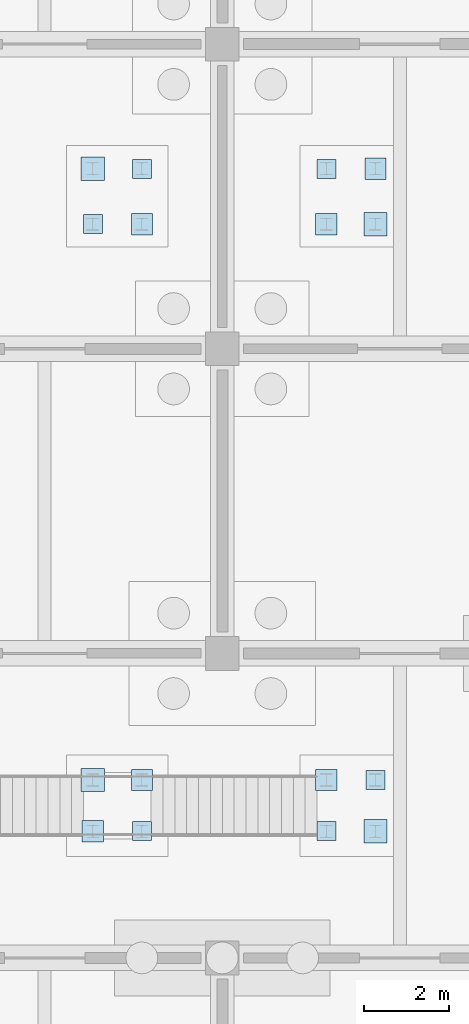
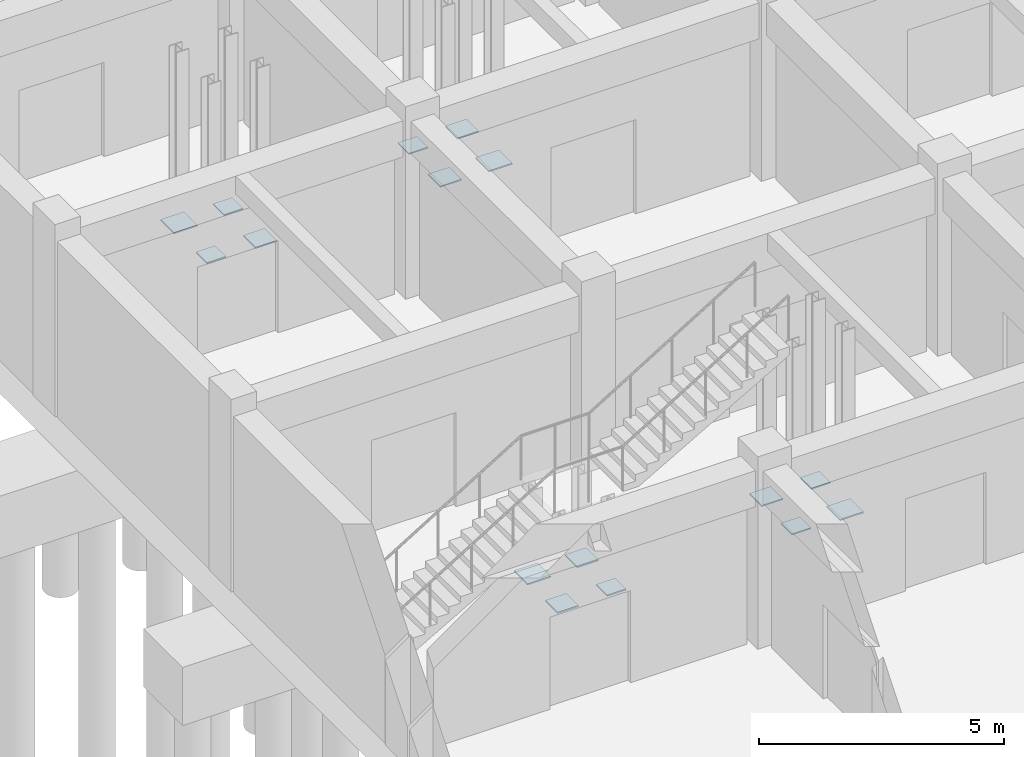
# One storey, part 22 of 38: 16 plates.
"""IFC4 building model written with IfcOpenShell, lengths in metres."""

from ifc_helpers import new_model, si_unit, derived_unit, direction, frame, origin, origin_2d, place, context, subcontext, project, spatial, rectangle, extrude, material, layer, layer_set, type_object, element, save


model = new_model("IFC4")

# Units and contexts
model_context = context("Model", 3, precision=1e-05, world=origin(), true_north=direction((0.0, 1.0)))
body_context = subcontext(model_context, "Body", "Model", "MODEL_VIEW")
ifc_project = project(units=[si_unit("LENGTHUNIT", "METRE"), si_unit("AREAUNIT", "SQUARE_METRE"), si_unit("VOLUMEUNIT", "CUBIC_METRE"), si_unit("PLANEANGLEUNIT", "RADIAN"), si_unit("MASSUNIT", "GRAM", prefix="KILO"), derived_unit("THERMALTRANSMITTANCEUNIT", [(si_unit("MASSUNIT", "GRAM", prefix="KILO"), 1), (si_unit("TIMEUNIT", "SECOND"), -3), (si_unit("THERMODYNAMICTEMPERATUREUNIT", "KELVIN"), -1)])], contexts=[model_context])

# Site, building, storey
site_placement = place(None, origin())
site = spatial("IfcSite", under=ifc_project, at=site_placement, CompositionType="ELEMENT")
building_placement = place(site_placement, origin())
building = spatial("IfcBuilding", under=site, at=building_placement, Name="Veldstrom Oceanarium and Marine Research Institute", CompositionType="ELEMENT")
storey_placement = place(building_placement, frame((0.0, 0.0, -9.60009765625)))
storey = spatial("IfcBuildingStorey", under=building, at=storey_placement, Name="B02", CompositionType="ELEMENT", Elevation=-9.60009765625)

# Plates
ifc_material_1 = material(Name="Steel S355JR", Category="steel")
ifc_layer_1 = layer(ifc_material_1, 0.034912109375)
ifc_layer_set_1 = layer_set([ifc_layer_1], Name="STR-PLT-BP2")
plate_type_1 = type_object("IfcPlateType", Name="STR-PLT-BP2", PredefinedType="SHEET", material=ifc_layer_set_1)
for number, where, z_axis, x_axis, name in (
    (1, (122.93994140625, 83.405029296875, 0.0), (0.0, 0.0, 1.0), (1.0, 0.0, 0.0), "Steel Column Base Plate BP02-033"),
    (2, (129.6201171875, 82.195068359375, 0.0), (0.0, 0.0, 1.0), (1.0, 0.0, 0.0), "Steel Column Base Plate BP02-036"),
    (3, (122.93994140625, 97.85498046875, 0.0), (0.0, 0.0, 1.0), (1.0, 0.0, 0.0), "Steel Column Base Plate BP02-075"),
    (4, (129.6201171875, 96.544921875, 0.0), (0.0, 0.0, 1.0), (1.0, 0.0, 0.0), "Steel Column Base Plate BP02-081"),
):
    element("IfcPlate", number, at=place(storey_placement, frame(where, z_axis=z_axis, x_axis=x_axis)), inside=storey, type_object=plate_type_1, Name=name, PredefinedType="SHEET", context=body_context, shape_type="SweptSolid", body=[
        extrude(rectangle(XDim=0.550048828125, YDim=0.550048828125, at=origin_2d()), origin(), (0.0, 0.0, 1.0), 0.034912109375),
    ])
ifc_material_2 = material(Name="Steel S355JR", Category="steel")
ifc_layer_2 = layer(ifc_material_2, 0.031982421875)
ifc_layer_set_2 = layer_set([ifc_layer_2], Name="STR-PLT-BP3")
plate_type_2 = type_object("IfcPlateType", Name="STR-PLT-BP3", PredefinedType="SHEET", material=ifc_layer_set_2)
for number, where, z_axis, x_axis, name in (
    (5, (122.93994140625, 82.195068359375, 0.0), (0.0, 0.0, 1.0), (1.0, 0.0, 0.0), "Steel Column Base Plate BP03-031"),
    (6, (124.10009765625, 83.405029296875, 0.0), (0.0, 0.0, 1.0), (1.0, 0.0, 0.0), "Steel Column Base Plate BP03-034"),
    (7, (128.4599609375, 83.405029296875, 0.0), (0.0, 0.0, 1.0), (1.0, 0.0, 0.0), "Steel Column Base Plate BP03-037"),
    (8, (124.10009765625, 96.544921875, 0.0), (0.0, 0.0, 1.0), (1.0, 0.0, 0.0), "Steel Column Base Plate BP03-073"),
    (9, (128.4599609375, 96.544921875, 0.0), (0.0, 0.0, 1.0), (1.0, 0.0, 0.0), "Steel Column Base Plate BP03-079"),
    (10, (129.6201171875, 97.85498046875, 0.0), (0.0, 0.0, 1.0), (1.0, 0.0, 0.0), "Steel Column Base Plate BP03-085"),
):
    element("IfcPlate", number, at=place(storey_placement, frame(where, z_axis=z_axis, x_axis=x_axis)), inside=storey, type_object=plate_type_2, Name=name, PredefinedType="SHEET", context=body_context, shape_type="SweptSolid", body=[
        extrude(rectangle(XDim=0.5, YDim=0.5, at=origin_2d()), origin(), (0.0, 0.0, 1.0), 0.031982421875),
    ])
ifc_material_3 = material(Name="Steel S355JR", Category="steel")
ifc_layer_3 = layer(ifc_material_3, 0.030029296875)
ifc_layer_set_3 = layer_set([ifc_layer_3], Name="STR-PLT-BP4")
plate_type_3 = type_object("IfcPlateType", Name="STR-PLT-BP4", PredefinedType="SHEET", material=ifc_layer_set_3)
for number, where, z_axis, x_axis, name in (
    (11, (124.10009765625, 82.195068359375, 0.0), (0.0, 0.0, 1.0), (1.0, 0.0, 0.0), "Steel Column Base Plate BP04-032"),
    (12, (128.4599609375, 82.195068359375, 0.0), (0.0, 0.0, 1.0), (1.0, 0.0, 0.0), "Steel Column Base Plate BP04-035"),
    (13, (129.6201171875, 83.405029296875, 0.0), (0.0, 0.0, 1.0), (1.0, 0.0, 0.0), "Steel Column Base Plate BP04-038"),
    (14, (122.93994140625, 96.544921875, 0.0), (0.0, 0.0, 1.0), (1.0, 0.0, 0.0), "Steel Column Base Plate BP04-071"),
    (15, (124.10009765625, 97.85498046875, 0.0), (0.0, 0.0, 1.0), (1.0, 0.0, 0.0), "Steel Column Base Plate BP04-077"),
    (16, (128.4599609375, 97.85498046875, 0.0), (0.0, 0.0, 1.0), (1.0, 0.0, 0.0), "Steel Column Base Plate BP04-083"),
):
    element("IfcPlate", number, at=place(storey_placement, frame(where, z_axis=z_axis, x_axis=x_axis)), inside=storey, type_object=plate_type_3, Name=name, PredefinedType="SHEET", context=body_context, shape_type="SweptSolid", body=[
        extrude(rectangle(XDim=0.449951171875, YDim=0.449951171875, at=origin_2d()), origin(), (0.0, 0.0, 1.0), 0.030029296875),
    ])

save(model, "model.ifc")
